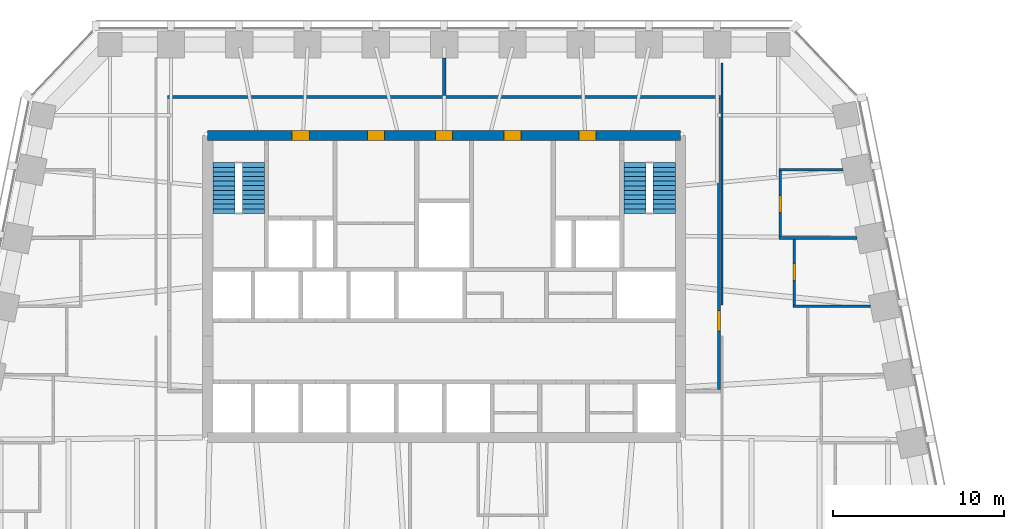
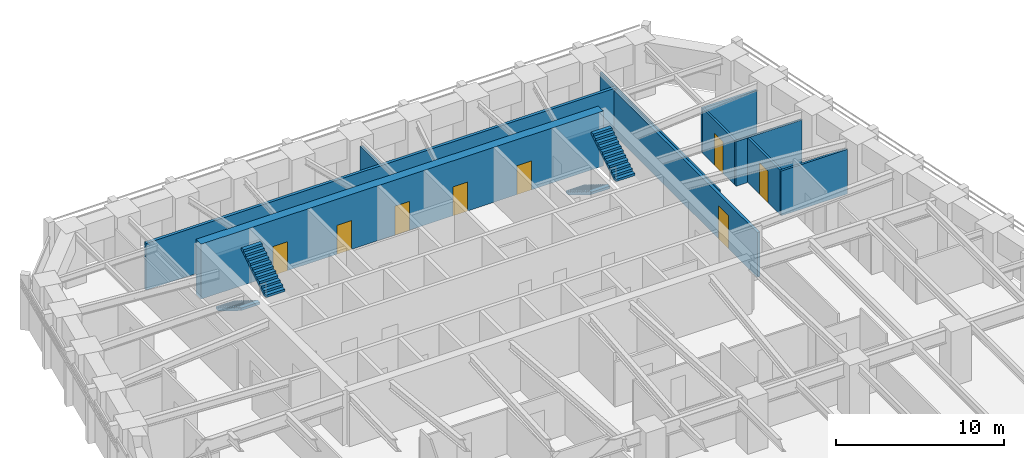
# One storey, part 8 of 10: 10 walls, 8 doors, 4 stair flights, 8 openings, 2 elements without a shape of their own.
"""IFC4 building model written with IfcOpenShell, lengths in metres."""

from ifc_helpers import new_model, si_unit, direction, frame, frame_2d, origin, place, context, subcontext, project, spatial, polyline, rectangle, outline, extrude, material, layer, layer_set, type_object, element, fill, aggregate, save


model = new_model("IFC4")

# Units and contexts
model_context = context("Model", 3, precision=1e-05, world=origin(), true_north=direction((0.0, 1.0)))
body_context = subcontext(model_context, "Body", "Model", "MODEL_VIEW")
ifc_project = project(units=[si_unit("LENGTHUNIT", "METRE"), si_unit("AREAUNIT", "SQUARE_METRE"), si_unit("VOLUMEUNIT", "CUBIC_METRE"), si_unit("PLANEANGLEUNIT", "RADIAN"), si_unit("MASSUNIT", "GRAM", prefix="KILO")], contexts=[model_context])

# Site, building, storey
site_placement = place(None, origin())
site = spatial("IfcSite", under=ifc_project, at=site_placement, CompositionType="ELEMENT")
building_placement = place(site_placement, origin())
building = spatial("IfcBuilding", under=site, at=building_placement, Name="Isbrekke Arena Tower", CompositionType="ELEMENT")
storey_placement = place(building_placement, frame((0.0, 0.0, 198.0)))
storey = spatial("IfcBuildingStorey", under=building, at=storey_placement, Name="L45", CompositionType="ELEMENT", Elevation=198.0)

# Wall, openings, doors
ifc_material_1 = material(Name="Concrete B55 (C55/67)", Category="concrete")
ifc_layer_1 = layer(ifc_material_1, 0.60009765625)
ifc_layer_set_1 = layer_set([ifc_layer_1], Name="CW4 CORE WALL 600")
wall_type_1 = type_object("IfcWallType", Name="CW4 CORE WALL 600", PredefinedType="SHEAR", material=ifc_layer_set_1)
wall_1_placement = place(storey_placement, frame((13.85009765625, 23.85009765625, 0.0), z_axis=(0.0, 0.0, 1.0), x_axis=(-1.0, 0.0, 0.0)))
wall_1 = element("IfcWall", 1, at=wall_1_placement, inside=storey, type_object=wall_type_1, Name="Core wall N L45", PredefinedType="SHEAR", context=body_context, shape_type="SweptSolid", body=[
    extrude(rectangle(XDim=27.7001953125, YDim=0.60009765625, at=frame_2d((13.85009765625, 0.0))), origin(), (0.0, 0.0, 1.0), 4.0),
])
opening_1_placement = place(wall_1_placement, frame((21.75, 0.0, 0.0)))
opening_1 = element("IfcOpeningElement", 2, at=opening_1_placement, cuts=wall_1, Name="Opening D3", PredefinedType="OPENING", context=body_context, shape_type="SweptSolid", body=[
    extrude(rectangle(XDim=1.0, YDim=2.10009765625, at=frame_2d((0.5, 1.050048828125))), frame((0.0, 0.31494140625, 0.0), z_axis=(0.0, -1.0, 0.0), x_axis=(1.0, 0.0, 0.0)), (0.0, 0.0, 1.0), 0.6298828125),
])
opening_2_placement = place(wall_1_placement, frame((4.949951171875, 0.0, 0.0)))
opening_2 = element("IfcOpeningElement", 3, at=opening_2_placement, cuts=wall_1, Name="Opening D3", PredefinedType="OPENING", context=body_context, shape_type="SweptSolid", body=[
    extrude(rectangle(XDim=1.0, YDim=2.10009765625, at=frame_2d((0.5, 1.050048828125))), frame((0.0, 0.31494140625, 0.0), z_axis=(0.0, -1.0, 0.0), x_axis=(1.0, 0.0, 0.0)), (0.0, 0.0, 1.0), 0.6298828125),
])
opening_3_placement = place(wall_1_placement, frame((17.35009765625, 0.0, 0.0)))
opening_3 = element("IfcOpeningElement", 4, at=opening_3_placement, cuts=wall_1, Name="Opening D4", PredefinedType="OPENING", context=body_context, shape_type="SweptSolid", body=[
    extrude(rectangle(XDim=1.0, YDim=2.10009765625, at=frame_2d((0.5, 1.050048828125))), frame((0.0, 0.31494140625, 0.0), z_axis=(0.0, -1.0, 0.0), x_axis=(1.0, 0.0, 0.0)), (0.0, 0.0, 1.0), 0.6298828125),
])
opening_4_placement = place(wall_1_placement, frame((13.35009765625, 0.0, 0.0)))
opening_4 = element("IfcOpeningElement", 5, at=opening_4_placement, cuts=wall_1, Name="Opening D4", PredefinedType="OPENING", context=body_context, shape_type="SweptSolid", body=[
    extrude(rectangle(XDim=1.0, YDim=2.10009765625, at=frame_2d((0.5, 1.050048828125))), frame((0.0, 0.31494140625, 0.0), z_axis=(0.0, -1.0, 0.0), x_axis=(1.0, 0.0, 0.0)), (0.0, 0.0, 1.0), 0.6298828125),
])
opening_5_placement = place(wall_1_placement, frame((9.35009765625, 0.0, 0.0)))
opening_5 = element("IfcOpeningElement", 6, at=opening_5_placement, cuts=wall_1, Name="Opening D4", PredefinedType="OPENING", context=body_context, shape_type="SweptSolid", body=[
    extrude(rectangle(XDim=1.0, YDim=2.10009765625, at=frame_2d((0.5, 1.050048828125))), frame((0.0, 0.31494140625, 0.0), z_axis=(0.0, -1.0, 0.0), x_axis=(1.0, 0.0, 0.0)), (0.0, 0.0, 1.0), 0.6298828125),
])
ifc_material_2 = material(Name="Steel fire door", Category="steel")
door_type_1 = type_object("IfcDoorType", Name="D3 FIRE LOBBY DOOR 1000 x 2100", OperationType="SINGLE_SWING_RIGHT", PredefinedType="DOOR", material=ifc_material_2)
door_1_placement = place(opening_1_placement, origin())
door_1 = element("IfcDoor", 7, at=door_1_placement, inside=storey, type_object=door_type_1, Name="D3 fire-fighting lobby door L45", OperationType="SINGLE_SWING_RIGHT", OverallHeight=2.10009765625, OverallWidth=1.0, PredefinedType="DOOR", context=body_context, shape_type="SweptSolid", body=[
    extrude(rectangle(XDim=1.0, YDim=2.10009765625, at=frame_2d((0.5, 1.050048828125))), frame((0.0, 0.2998046875, 0.0), z_axis=(0.0, -1.0, 0.0), x_axis=(1.0, 0.0, 0.0)), (0.0, 0.0, 1.0), 0.599609375),
])
fill(opening_1, door_1)
door_2_placement = place(opening_2_placement, origin())
door_2 = element("IfcDoor", 8, at=door_2_placement, inside=storey, type_object=door_type_1, Name="D3 fire-fighting lobby door L45", OperationType="SINGLE_SWING_RIGHT", OverallHeight=2.10009765625, OverallWidth=1.0, PredefinedType="DOOR", context=body_context, shape_type="SweptSolid", body=[
    extrude(rectangle(XDim=1.0, YDim=2.10009765625, at=frame_2d((0.5, 1.050048828125))), frame((0.0, 0.2998046875, 0.0), z_axis=(0.0, -1.0, 0.0), x_axis=(1.0, 0.0, 0.0)), (0.0, 0.0, 1.0), 0.599609375),
])
fill(opening_2, door_2)
ifc_material_3 = material(Name="Timber door", Category="wood")
door_type_2 = type_object("IfcDoorType", Name="D4 WC DOOR 1000 x 2100", OperationType="SINGLE_SWING_LEFT", PredefinedType="DOOR", material=ifc_material_3)
door_3_placement = place(opening_3_placement, origin())
door_3 = element("IfcDoor", 9, at=door_3_placement, inside=storey, type_object=door_type_2, Name="D4 wc female door L45", OperationType="SINGLE_SWING_LEFT", OverallHeight=2.10009765625, OverallWidth=1.0, PredefinedType="DOOR", context=body_context, shape_type="SweptSolid", body=[
    extrude(rectangle(XDim=1.0, YDim=2.10009765625, at=frame_2d((0.5, 1.050048828125))), frame((0.0, 0.2998046875, 0.0), z_axis=(0.0, -1.0, 0.0), x_axis=(1.0, 0.0, 0.0)), (0.0, 0.0, 1.0), 0.599609375),
])
fill(opening_3, door_3)
door_4_placement = place(opening_4_placement, origin())
door_4 = element("IfcDoor", 10, at=door_4_placement, inside=storey, type_object=door_type_2, Name="D4 accessible wc door L45", OperationType="SINGLE_SWING_LEFT", OverallHeight=2.10009765625, OverallWidth=1.0, PredefinedType="DOOR", context=body_context, shape_type="SweptSolid", body=[
    extrude(rectangle(XDim=1.0, YDim=2.10009765625, at=frame_2d((0.5, 1.050048828125))), frame((0.0, 0.2998046875, 0.0), z_axis=(0.0, -1.0, 0.0), x_axis=(1.0, 0.0, 0.0)), (0.0, 0.0, 1.0), 0.599609375),
])
fill(opening_4, door_4)
door_5_placement = place(opening_5_placement, origin())
door_5 = element("IfcDoor", 11, at=door_5_placement, inside=storey, type_object=door_type_2, Name="D4 wc male door L45", OperationType="SINGLE_SWING_LEFT", OverallHeight=2.10009765625, OverallWidth=1.0, PredefinedType="DOOR", context=body_context, shape_type="SweptSolid", body=[
    extrude(rectangle(XDim=1.0, YDim=2.10009765625, at=frame_2d((0.5, 1.050048828125))), frame((0.0, 0.2998046875, 0.0), z_axis=(0.0, -1.0, 0.0), x_axis=(1.0, 0.0, 0.0)), (0.0, 0.0, 1.0), 0.599609375),
])
fill(opening_5, door_5)

# Walls
ifc_material_4 = material(Name="Gypsum board partition on steel studs", Category="steel")
ifc_layer_2 = layer(ifc_material_4, 0.14990234375)
ifc_layer_set_2 = layer_set([ifc_layer_2], Name="IW1 PARTITION 150")
wall_type_2 = type_object("IfcWallType", Name="IW1 PARTITION 150", PredefinedType="PARTITIONING", material=ifc_layer_set_2)
for number, where, z_axis, x_axis, name in (
    (12, (20.425048828125, 13.840087890625, 0.0), (0.0, 0.0, 1.0), (1.0, 0.0, 0.0), "IW1 partition 150 L45"),
    (13, (19.625, 17.840087890625, 0.0), (0.0, 0.0, 1.0), (1.0, 0.0, 0.0), "IW1 partition 150 L45"),
):
    element("IfcWall", number, at=place(storey_placement, frame(where, z_axis=z_axis, x_axis=x_axis)), inside=storey, type_object=wall_type_2, Name=name, PredefinedType="PARTITIONING", context=body_context, shape_type="SweptSolid", body=[
        extrude(rectangle(XDim=4.5498046875, YDim=0.14990234375, at=frame_2d((2.27490234375, 0.0))), origin(), (0.0, 0.0, 1.0), 3.25),
    ])
wall_2_placement = place(storey_placement, frame((19.625, 21.840087890625, 0.0), z_axis=(0.0, 0.0, 1.0), x_axis=(1.0, 0.0, 0.0)))
element("IfcWall", 14, at=wall_2_placement, inside=storey, type_object=wall_type_2, Name="IW1 partition 150 L45", PredefinedType="PARTITIONING", context=body_context, shape_type="SweptSolid", body=[
    extrude(rectangle(XDim=3.749755859375, YDim=0.14990234375, at=frame_2d((1.875, 0.0))), origin(), (0.0, 0.0, 1.0), 3.25),
])

# Wall, opening, door
wall_3_placement = place(storey_placement, frame((19.699951171875, 17.9150390625, 0.0), z_axis=(0.0, 0.0, 1.0), x_axis=(0.0, 1.0, 0.0)))
wall_3 = element("IfcWall", 15, at=wall_3_placement, inside=storey, type_object=wall_type_2, Name="IW1 partition 150 L45", PredefinedType="PARTITIONING", context=body_context, shape_type="SweptSolid", body=[
    extrude(rectangle(XDim=3.849853515625, YDim=0.14990234375, at=frame_2d((1.9248046875, 0.0))), origin(), (0.0, 0.0, 1.0), 3.25),
])
opening_6_placement = place(wall_3_placement, frame((1.425048828125, 0.0, 0.0)))
opening_6 = element("IfcOpeningElement", 16, at=opening_6_placement, cuts=wall_3, Name="Opening D10", PredefinedType="OPENING", context=body_context, shape_type="SweptSolid", body=[
    extrude(rectangle(XDim=1.0, YDim=2.300048828125, at=frame_2d((0.5, 1.14990234375))), frame((0.0, 0.08984375, 0.0), z_axis=(0.0, -1.0, 0.0), x_axis=(1.0, 0.0, 0.0)), (0.0, 0.0, 1.0), 0.1796875),
])
ifc_material_5 = material(Name="Timber door", Category="wood")
door_type_3 = type_object("IfcDoorType", Name="D10 OFFICE DOOR 1000 x 2300", OperationType="SINGLE_SWING_LEFT", PredefinedType="DOOR", material=ifc_material_5)
door_6_placement = place(opening_6_placement, origin())
door_6 = element("IfcDoor", 17, at=door_6_placement, inside=storey, type_object=door_type_3, Name="D10 office door L45", OperationType="SINGLE_SWING_LEFT", OverallHeight=2.300048828125, OverallWidth=1.0, PredefinedType="DOOR", context=body_context, shape_type="SweptSolid", body=[
    extrude(rectangle(XDim=1.0, YDim=2.300048828125, at=frame_2d((0.5, 1.14990234375))), frame((0.0, 0.07470703125, 0.0), z_axis=(0.0, -1.0, 0.0), x_axis=(1.0, 0.0, 0.0)), (0.0, 0.0, 1.0), 0.1494140625),
])
fill(opening_6, door_6)

wall_4_placement = place(storey_placement, frame((20.5, 13.9150390625, 0.0), z_axis=(0.0, 0.0, 1.0), x_axis=(0.0, 1.0, 0.0)))
wall_4 = element("IfcWall", 18, at=wall_4_placement, inside=storey, type_object=wall_type_2, Name="IW1 partition 150 L45", PredefinedType="PARTITIONING", context=body_context, shape_type="SweptSolid", body=[
    extrude(rectangle(XDim=3.849853515625, YDim=0.14990234375, at=frame_2d((1.9248046875, 0.0))), origin(), (0.0, 0.0, 1.0), 3.25),
])
opening_7_placement = place(wall_4_placement, frame((1.425048828125, 0.0, 0.0)))
opening_7 = element("IfcOpeningElement", 19, at=opening_7_placement, cuts=wall_4, Name="Opening D10", PredefinedType="OPENING", context=body_context, shape_type="SweptSolid", body=[
    extrude(rectangle(XDim=1.0, YDim=2.300048828125, at=frame_2d((0.5, 1.14990234375))), frame((0.0, 0.08984375, 0.0), z_axis=(0.0, -1.0, 0.0), x_axis=(1.0, 0.0, 0.0)), (0.0, 0.0, 1.0), 0.1796875),
])
door_7_placement = place(opening_7_placement, origin())
door_7 = element("IfcDoor", 20, at=door_7_placement, inside=storey, type_object=door_type_3, Name="D10 office door L45", OperationType="SINGLE_SWING_LEFT", OverallHeight=2.300048828125, OverallWidth=1.0, PredefinedType="DOOR", context=body_context, shape_type="SweptSolid", body=[
    extrude(rectangle(XDim=1.0, YDim=2.300048828125, at=frame_2d((0.5, 1.14990234375))), frame((0.0, 0.07470703125, 0.0), z_axis=(0.0, -1.0, 0.0), x_axis=(1.0, 0.0, 0.0)), (0.0, 0.0, 1.0), 0.1494140625),
])
fill(opening_7, door_7)

# Walls
ifc_material_6 = material(Name="Frameless glazed partition, laminated acoustic glass", Category="glass")
ifc_layer_3 = layer(ifc_material_6, 0.1201171875)
ifc_layer_set_3 = layer_set([ifc_layer_3], Name="IW2 GLAZED PARTITION 120")
wall_type_3 = type_object("IfcWallType", Name="IW2 GLAZED PARTITION 120", PredefinedType="PARTITIONING", material=ifc_layer_set_3)
wall_5_placement = place(storey_placement, frame((16.281005859375, 13.89990234375, 0.0), z_axis=(0.0, 0.0, 1.0), x_axis=(0.0, 1.0, 0.0)))
element("IfcWall", 21, at=wall_5_placement, inside=storey, type_object=wall_type_3, Name="IW2 glazed partition 120 L45", PredefinedType="PARTITIONING", context=body_context, shape_type="SweptSolid", body=[
    extrude(rectangle(XDim=14.2001953125, YDim=0.1201171875, at=frame_2d((7.10009765625, 0.0))), origin(), (0.0, 0.0, 1.0), 3.25),
])
ifc_material_7 = material(Name="Gypsum board fire-cell wall on steel studs, two layers each side", Category="steel")
ifc_layer_4 = layer(ifc_material_7, 0.199951171875)
ifc_layer_set_4 = layer_set([ifc_layer_4], Name="IW3 FIRE-CELL WALL 200")
wall_type_4 = type_object("IfcWallType", Name="IW3 FIRE-CELL WALL 200", PredefinedType="PARTITIONING", material=ifc_layer_set_4)
wall_6_placement = place(storey_placement, frame((-16.199951171875, 26.10009765625, 0.0), z_axis=(0.0, 0.0, 1.0), x_axis=(1.0, 0.0, 0.0)))
element("IfcWall", 22, at=wall_6_placement, inside=storey, type_object=wall_type_4, Name="IW3 fire-cell wall 200 L45", PredefinedType="PARTITIONING", context=body_context, shape_type="SweptSolid", body=[
    extrude(rectangle(XDim=32.39990234375, YDim=0.199951171875, at=frame_2d((16.199951171875, 0.0))), origin(), (0.0, 0.0, 1.0), 3.39990234375),
])
wall_7_placement = place(storey_placement, frame((0.0, 26.199951171875, 0.0), z_axis=(0.0, 0.0, 1.0), x_axis=(0.0, 1.0, 0.0)))
element("IfcWall", 23, at=wall_7_placement, inside=storey, type_object=wall_type_4, Name="IW3 fire-cell wall 200 L45", PredefinedType="PARTITIONING", context=body_context, shape_type="SweptSolid", body=[
    extrude(rectangle(XDim=2.175048828125, YDim=0.199951171875, at=frame_2d((1.08740234375, 0.0))), origin(), (0.0, 0.0, 1.0), 3.39990234375),
])

# Wall, opening, door
wall_8_placement = place(storey_placement, frame((16.10009765625, 8.949951171875, 0.0), z_axis=(0.0, 0.0, 1.0), x_axis=(0.0, 1.0, 0.0)))
wall_8 = element("IfcWall", 24, at=wall_8_placement, inside=storey, type_object=wall_type_4, Name="IW3 fire-cell wall 200 L45", PredefinedType="PARTITIONING", context=body_context, shape_type="SweptSolid", body=[
    extrude(rectangle(XDim=17.050048828125, YDim=0.199951171875, at=frame_2d((8.52490234375, 0.0))), origin(), (0.0, 0.0, 1.0), 3.25),
])
opening_8_placement = place(wall_8_placement, frame((3.449951171875, 0.0, 0.0)))
opening_8 = element("IfcOpeningElement", 25, at=opening_8_placement, cuts=wall_8, Name="Opening D12", PredefinedType="OPENING", context=body_context, shape_type="SweptSolid", body=[
    extrude(rectangle(XDim=1.199951171875, YDim=2.39990234375, at=frame_2d((0.60009765625, 1.199951171875))), frame((0.0, 0.11474609375, 0.0), z_axis=(0.0, -1.0, 0.0), x_axis=(1.0, 0.0, 0.0)), (0.0, 0.0, 1.0), 0.229736328125),
])
ifc_material_8 = material(Name="Timber fire door with vision panel", Category="wood")
door_type_4 = type_object("IfcDoorType", Name="D12 SUITE ENTRANCE DOOR 1200 x 2400", OperationType="SINGLE_SWING_LEFT", PredefinedType="DOOR", material=ifc_material_8)
door_8_placement = place(opening_8_placement, origin())
door_8 = element("IfcDoor", 26, at=door_8_placement, inside=storey, type_object=door_type_4, Name="D12 suite entrance E door L45", OperationType="SINGLE_SWING_LEFT", OverallHeight=2.39990234375, OverallWidth=1.199951171875, PredefinedType="DOOR", context=body_context, shape_type="SweptSolid", body=[
    extrude(rectangle(XDim=1.199951171875, YDim=2.39990234375, at=frame_2d((0.60009765625, 1.199951171875))), frame((0.0, 0.099609375, 0.0), z_axis=(0.0, -1.0, 0.0), x_axis=(1.0, 0.0, 0.0)), (0.0, 0.0, 1.0), 0.199462890625),
])
fill(opening_8, door_8)

# Stair, stair flights
ifc_material_9 = material(Name="Concrete B45 (C45/55) precast", Category="concrete")
stair_type = type_object("IfcStairType", Name="ST40 STAIR 1300 WIDE, 24 RISERS 167", PredefinedType="HALF_TURN_STAIR", material=ifc_material_9)
stair_1_placement = place(storey_placement, origin())
stair_1 = element("IfcStair", 27, at=stair_1_placement, inside=storey, type_object=stair_type, Name="ST1 stair L45", PredefinedType="HALF_TURN_STAIR")
ifc_material_10 = material(Name="Concrete B45 (C45/55) precast", Category="concrete")
stair_flight_type = type_object("IfcStairFlightType", Name="SF 1300 FLIGHT", PredefinedType="STRAIGHT", material=ifc_material_10)
stair_flight_1_placement = place(storey_placement, frame((-12.89990234375, 22.25, 0.0), z_axis=(0.0, 0.0, 1.0), x_axis=(0.0, -1.0, 0.0)))
stair_flight_1 = element("IfcStairFlight", 28, at=stair_flight_1_placement, type_object=stair_flight_type, Name="ST1 flight 1", NumberOfRisers=12, NumberOfTreads=11, PredefinedType="STRAIGHT", RiserHeight=0.166666667, TreadLength=0.27, context=body_context, shape_type="SweptSolid", body=[
    extrude(outline(polyline([(0.0, 0.0), (0.0, 0.166748046875), (0.27001953125, 0.166748046875), (0.27001953125, 0.333251953125), (0.5400390625, 0.333251953125), (0.5400390625, 0.5), (0.81005859375, 0.5), (0.81005859375, 0.666748046875), (1.080078125, 0.666748046875), (1.080078125, 0.833251953125), (1.35009765625, 0.833251953125), (1.35009765625, 1.0), (1.6201171875, 1.0), (1.6201171875, 1.166748046875), (1.889892578125, 1.166748046875), (1.889892578125, 1.333251953125), (2.159912109375, 1.333251953125), (2.159912109375, 1.5), (2.429931640625, 1.5), (2.429931640625, 1.666748046875), (2.699951171875, 1.666748046875), (2.699951171875, 1.833251953125), (2.969970703125, 1.833251953125), (2.969970703125, 2.0), (2.969970703125, 1.6572265625), (0.285400390625, 0.0), (0.0, 0.0)])), frame((0.0, 0.64990234375, 0.0), z_axis=(0.0, -1.0, 0.0), x_axis=(1.0, 0.0, 0.0)), (0.0, 0.0, 1.0), 1.300048828125),
])
stair_flight_2_placement = place(storey_placement, frame((-11.175048828125, 19.280029296875, 2.0), z_axis=(0.0, 0.0, 1.0), x_axis=(0.0, 1.0, 0.0)))
stair_flight_2 = element("IfcStairFlight", 29, at=stair_flight_2_placement, type_object=stair_flight_type, Name="ST1 flight 2", NumberOfRisers=12, NumberOfTreads=11, PredefinedType="STRAIGHT", RiserHeight=0.166666667, TreadLength=0.27, context=body_context, shape_type="SweptSolid", body=[
    extrude(outline(polyline([(0.0, 0.0), (0.0, 0.166748046875), (0.27001953125, 0.166748046875), (0.27001953125, 0.333251953125), (0.5400390625, 0.333251953125), (0.5400390625, 0.5), (0.81005859375, 0.5), (0.81005859375, 0.666748046875), (1.080078125, 0.666748046875), (1.080078125, 0.833251953125), (1.35009765625, 0.833251953125), (1.35009765625, 1.0), (1.6201171875, 1.0), (1.6201171875, 1.166748046875), (1.889892578125, 1.166748046875), (1.889892578125, 1.333251953125), (2.159912109375, 1.333251953125), (2.159912109375, 1.5), (2.429931640625, 1.5), (2.429931640625, 1.666748046875), (2.699951171875, 1.666748046875), (2.699951171875, 1.833251953125), (2.969970703125, 1.833251953125), (2.969970703125, 2.0), (2.969970703125, 1.6572265625), (0.285400390625, 0.0), (0.0, 0.0)])), frame((0.0, 0.64990234375, 0.0), z_axis=(0.0, -1.0, 0.0), x_axis=(1.0, 0.0, 0.0)), (0.0, 0.0, 1.0), 1.300048828125),
])
aggregate(stair_1, [stair_flight_1, stair_flight_2])

stair_2_placement = place(storey_placement, origin())
stair_2 = element("IfcStair", 30, at=stair_2_placement, inside=storey, type_object=stair_type, Name="ST2 stair L45", PredefinedType="HALF_TURN_STAIR")
stair_flight_3_placement = place(storey_placement, frame((11.175048828125, 22.25, 0.0), z_axis=(0.0, 0.0, 1.0), x_axis=(0.0, -1.0, 0.0)))
stair_flight_3 = element("IfcStairFlight", 31, at=stair_flight_3_placement, type_object=stair_flight_type, Name="ST2 flight 1", NumberOfRisers=12, NumberOfTreads=11, PredefinedType="STRAIGHT", RiserHeight=0.166666667, TreadLength=0.27, context=body_context, shape_type="SweptSolid", body=[
    extrude(outline(polyline([(0.0, 0.0), (0.0, 0.166748046875), (0.27001953125, 0.166748046875), (0.27001953125, 0.333251953125), (0.5400390625, 0.333251953125), (0.5400390625, 0.5), (0.81005859375, 0.5), (0.81005859375, 0.666748046875), (1.080078125, 0.666748046875), (1.080078125, 0.833251953125), (1.35009765625, 0.833251953125), (1.35009765625, 1.0), (1.6201171875, 1.0), (1.6201171875, 1.166748046875), (1.889892578125, 1.166748046875), (1.889892578125, 1.333251953125), (2.159912109375, 1.333251953125), (2.159912109375, 1.5), (2.429931640625, 1.5), (2.429931640625, 1.666748046875), (2.699951171875, 1.666748046875), (2.699951171875, 1.833251953125), (2.969970703125, 1.833251953125), (2.969970703125, 2.0), (2.969970703125, 1.6572265625), (0.285400390625, 0.0), (0.0, 0.0)])), frame((0.0, 0.64990234375, 0.0), z_axis=(0.0, -1.0, 0.0), x_axis=(1.0, 0.0, 0.0)), (0.0, 0.0, 1.0), 1.300048828125),
])
stair_flight_4_placement = place(storey_placement, frame((12.89990234375, 19.280029296875, 2.0), z_axis=(0.0, 0.0, 1.0), x_axis=(0.0, 1.0, 0.0)))
stair_flight_4 = element("IfcStairFlight", 32, at=stair_flight_4_placement, type_object=stair_flight_type, Name="ST2 flight 2", NumberOfRisers=12, NumberOfTreads=11, PredefinedType="STRAIGHT", RiserHeight=0.166666667, TreadLength=0.27, context=body_context, shape_type="SweptSolid", body=[
    extrude(outline(polyline([(0.0, 0.0), (0.0, 0.166748046875), (0.27001953125, 0.166748046875), (0.27001953125, 0.333251953125), (0.5400390625, 0.333251953125), (0.5400390625, 0.5), (0.81005859375, 0.5), (0.81005859375, 0.666748046875), (1.080078125, 0.666748046875), (1.080078125, 0.833251953125), (1.35009765625, 0.833251953125), (1.35009765625, 1.0), (1.6201171875, 1.0), (1.6201171875, 1.166748046875), (1.889892578125, 1.166748046875), (1.889892578125, 1.333251953125), (2.159912109375, 1.333251953125), (2.159912109375, 1.5), (2.429931640625, 1.5), (2.429931640625, 1.666748046875), (2.699951171875, 1.666748046875), (2.699951171875, 1.833251953125), (2.969970703125, 1.833251953125), (2.969970703125, 2.0), (2.969970703125, 1.6572265625), (0.285400390625, 0.0), (0.0, 0.0)])), frame((0.0, 0.64990234375, 0.0), z_axis=(0.0, -1.0, 0.0), x_axis=(1.0, 0.0, 0.0)), (0.0, 0.0, 1.0), 1.300048828125),
])
aggregate(stair_2, [stair_flight_3, stair_flight_4])

save(model, "model.ifc")
